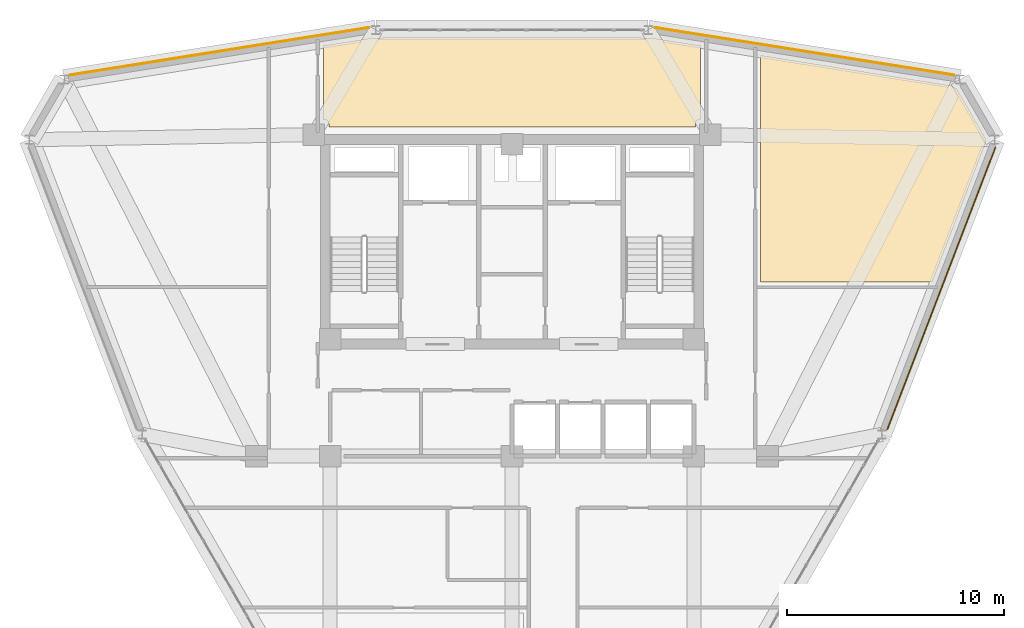
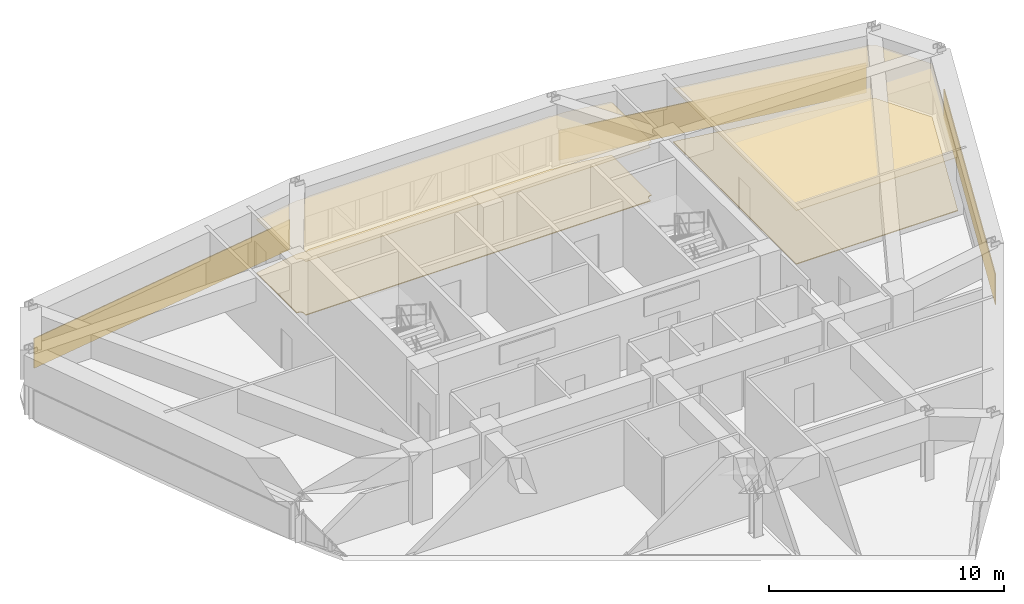
# One storey, part 13 of 13: 7 coverings.
"""IFC4 building model written with IfcOpenShell, lengths in metres."""

from ifc_helpers import new_model, si_unit, derived_unit, direction, frame, origin, place, context, subcontext, project, spatial, polyline, outline, extrude, material, layer, layer_set, type_object, element, save


model = new_model("IFC4")

# Units and contexts
model_context = context("Model", 3, precision=1e-05, world=origin(), true_north=direction((0.0, 1.0)))
body_context = subcontext(model_context, "Body", "Model", "MODEL_VIEW")
ifc_project = project(units=[si_unit("LENGTHUNIT", "METRE"), si_unit("AREAUNIT", "SQUARE_METRE"), si_unit("VOLUMEUNIT", "CUBIC_METRE"), si_unit("PLANEANGLEUNIT", "RADIAN"), si_unit("MASSUNIT", "GRAM", prefix="KILO"), derived_unit("THERMALTRANSMITTANCEUNIT", [(si_unit("POWERUNIT", "WATT"), 1), (si_unit("LENGTHUNIT", "METRE"), -2), (si_unit("THERMODYNAMICTEMPERATUREUNIT", "KELVIN"), -1)])], contexts=[model_context])

# Site, building, storey
site_placement = place(None, origin())
site = spatial("IfcSite", under=ifc_project, at=site_placement, CompositionType="ELEMENT")
building_placement = place(site_placement, origin())
building = spatial("IfcBuilding", under=site, at=building_placement, Name="Korsvarv Bourse and Concert Hall", CompositionType="ELEMENT")
storey_placement = place(building_placement, frame((0.0, 0.0, 179.39990234375)))
storey = spatial("IfcBuildingStorey", under=building, at=storey_placement, Name="L46", CompositionType="ELEMENT", Elevation=179.39990234375)

# Coverings
ifc_material_1 = material(Name="Perforated mineral-wool and birch acoustic baffle ceiling", Category="wood")
ifc_layer_1 = layer(ifc_material_1, 0.02490234375)
ifc_layer_set_1 = layer_set([ifc_layer_1], Name="Perforated mineral-wool and birch acoustic baffle ceiling")
covering_type_1 = type_object("IfcCoveringType", Name="COV-CEIL-1", PredefinedType="CEILING", material=ifc_layer_set_1)
covering_1_placement = place(storey_placement, frame((0.0, 0.0, 2.780029296875)))
element("IfcCovering", 1, at=covering_1_placement, inside=storey, type_object=covering_type_1, Name="L46 acoustic baffle ceiling 1", PredefinedType="CEILING", context=body_context, shape_type="SweptSolid", body=[
    extrude(outline(polyline([(56.311767578125, 49.5029296875), (56.332275390625, 49.47314453125), (56.358154296875, 49.447998046875), (56.388671875, 49.4287109375), (56.42236328125, 49.415771484375), (56.4580078125, 49.409912109375), (56.51611328125, 49.406005859375), (57.897216796875, 47.013671875), (57.897216796875, 46.9375), (55.409423828125, 40.449951171875), (47.47998046875, 40.449951171875), (47.47998046875, 50.9140625), (56.311767578125, 49.5029296875)])), origin(), (0.0, 0.0, 1.0), 0.025146484375),
])
covering_2_placement = place(storey_placement, frame((0.0, 0.0, 2.780029296875)))
element("IfcCovering", 2, at=covering_2_placement, inside=storey, type_object=covering_type_1, Name="L46 acoustic baffle ceiling 2", PredefinedType="CEILING", context=body_context, shape_type="SweptSolid", body=[
    extrude(outline(polyline([(29.45361328125, 51.697265625), (29.477783203125, 51.6923828125), (29.91064453125, 51.684326171875), (29.947021484375, 51.6875), (29.981689453125, 51.69775390625), (30.013916015625, 51.71484375), (30.0419921875, 51.738037109375), (41.9541015625, 51.7421875), (41.97412109375, 51.726318359375), (42.00439453125, 51.709228515625), (42.03759765625, 51.698486328125), (42.072021484375, 51.6943359375), (42.488037109375, 51.684326171875), (42.52294921875, 51.68701171875), (42.555419921875, 51.69580078125), (44.7099609375, 51.353759765625), (44.7099609375, 47.93994140625), (44.64990234375, 47.93994140625), (44.615478515625, 47.936767578125), (44.582275390625, 47.9267578125), (44.5517578125, 47.910888671875), (44.524658203125, 47.88916015625), (44.502197265625, 47.86279296875), (44.4853515625, 47.83251953125), (44.474365234375, 47.799560546875), (44.47021484375, 47.765380859375), (44.465087890625, 47.60009765625), (27.5400390625, 47.60009765625), (27.5400390625, 47.75), (27.53662109375, 47.7841796875), (27.527099609375, 47.817138671875), (27.510986328125, 47.84765625), (27.48974609375, 47.874755859375), (27.463623046875, 47.897216796875), (27.433837890625, 47.914306640625), (27.4013671875, 47.92529296875), (27.3671875, 47.929931640625), (27.2900390625, 47.932861328125), (27.2900390625, 51.353759765625), (29.45361328125, 51.697265625)])), origin(), (0.0, 0.0, 1.0), 0.025146484375),
])
ifc_material_2 = material(Name="Warm iron-oxide extruded terracotta rainscreen tile", Category="ceramic")
ifc_layer_2 = layer(ifc_material_2, 0.044921875)
ifc_layer_set_2 = layer_set([ifc_layer_2], Name="Warm iron-oxide extruded terracotta rainscreen tile")
covering_type_2 = type_object("IfcCoveringType", Name="COV-CLD-TC", PredefinedType="CLADDING", material=ifc_layer_set_2)
covering_3_placement = place(storey_placement, origin())
element("IfcCovering", 3, at=covering_3_placement, inside=storey, type_object=covering_type_2, Name="L46 fluted terracotta cladding panel EW-L46-B02", PredefinedType="CLADDING", context=body_context, shape_type="SweptSolid", body=[
    extrude(outline(polyline([(56.416748046875, 49.976318359375), (42.597412109375, 52.170166015625), (42.6044921875, 52.214599609375), (56.423828125, 50.020751953125), (56.416748046875, 49.976318359375)])), origin(), (0.0, 0.0, 1.0), 1.550048828125),
])
covering_4_placement = place(storey_placement, origin())
element("IfcCovering", 4, at=covering_4_placement, inside=storey, type_object=covering_type_2, Name="L46 fluted terracotta cladding panel EW-L46-B04", PredefinedType="CLADDING", context=body_context, shape_type="SweptSolid", body=[
    extrude(outline(polyline([(29.402587890625, 52.170166015625), (15.583251953125, 49.976318359375), (15.576171875, 50.020751953125), (29.3955078125, 52.214599609375), (29.402587890625, 52.170166015625)])), origin(), (0.0, 0.0, 1.0), 1.550048828125),
])
covering_5_placement = place(storey_placement, origin())
element("IfcCovering", 5, at=covering_5_placement, inside=storey, type_object=covering_type_2, Name="L46 fluted terracotta cladding panel EW-L46-B12", PredefinedType="CLADDING", context=body_context, shape_type="SweptSolid", body=[
    extrude(outline(polyline([(53.308837890625, 33.64501953125), (58.305908203125, 46.677001953125), (58.347900390625, 46.660888671875), (53.350830078125, 33.628662109375), (53.308837890625, 33.64501953125)])), origin(), (0.0, 0.0, 1.0), 1.550048828125),
])
ifc_material_3 = material(Name="Calcium-sulphate raised access trading floor with Nordic oak top", Category="wood")
ifc_layer_3 = layer(ifc_material_3, 0.0400390625)
ifc_layer_set_3 = layer_set([ifc_layer_3], Name="Calcium-sulphate raised access trading floor with Nordic oak top")
covering_type_3 = type_object("IfcCoveringType", Name="COV-FLOR-1", PredefinedType="FLOORING", material=ifc_layer_set_3)
covering_6_placement = place(storey_placement, origin())
element("IfcCovering", 6, at=covering_6_placement, inside=storey, type_object=covering_type_3, Name="L46 raised access oak floor finish 1", PredefinedType="FLOORING", context=body_context, shape_type="SweptSolid", body=[
    extrude(outline(polyline([(56.311767578125, 49.5029296875), (56.332275390625, 49.47314453125), (56.358154296875, 49.447998046875), (56.388671875, 49.4287109375), (56.42236328125, 49.415771484375), (56.4580078125, 49.409912109375), (56.51611328125, 49.406005859375), (57.897216796875, 47.013671875), (57.897216796875, 46.9375), (55.409423828125, 40.449951171875), (47.47998046875, 40.449951171875), (47.47998046875, 50.9140625), (56.311767578125, 49.5029296875)])), origin(), (0.0, 0.0, 1.0), 0.0400390625),
])
covering_7_placement = place(storey_placement, origin())
element("IfcCovering", 7, at=covering_7_placement, inside=storey, type_object=covering_type_3, Name="L46 raised access oak floor finish 2", PredefinedType="FLOORING", context=body_context, shape_type="SweptSolid", body=[
    extrude(outline(polyline([(29.45361328125, 51.697265625), (29.477783203125, 51.6923828125), (29.91064453125, 51.684326171875), (29.947021484375, 51.6875), (29.981689453125, 51.69775390625), (30.013916015625, 51.71484375), (30.0419921875, 51.738037109375), (41.9541015625, 51.7421875), (41.97412109375, 51.726318359375), (42.00439453125, 51.709228515625), (42.03759765625, 51.698486328125), (42.072021484375, 51.6943359375), (42.488037109375, 51.684326171875), (42.52294921875, 51.68701171875), (42.555419921875, 51.69580078125), (44.7099609375, 51.353759765625), (44.7099609375, 47.93994140625), (44.64990234375, 47.93994140625), (44.615478515625, 47.936767578125), (44.582275390625, 47.9267578125), (44.5517578125, 47.910888671875), (44.524658203125, 47.88916015625), (44.502197265625, 47.86279296875), (44.4853515625, 47.83251953125), (44.474365234375, 47.799560546875), (44.47021484375, 47.765380859375), (44.465087890625, 47.60009765625), (27.5400390625, 47.60009765625), (27.5400390625, 47.75), (27.53662109375, 47.7841796875), (27.527099609375, 47.817138671875), (27.510986328125, 47.84765625), (27.48974609375, 47.874755859375), (27.463623046875, 47.897216796875), (27.433837890625, 47.914306640625), (27.4013671875, 47.92529296875), (27.3671875, 47.929931640625), (27.2900390625, 47.932861328125), (27.2900390625, 51.353759765625), (29.45361328125, 51.697265625)])), origin(), (0.0, 0.0, 1.0), 0.0400390625),
])

save(model, "model.ifc")
